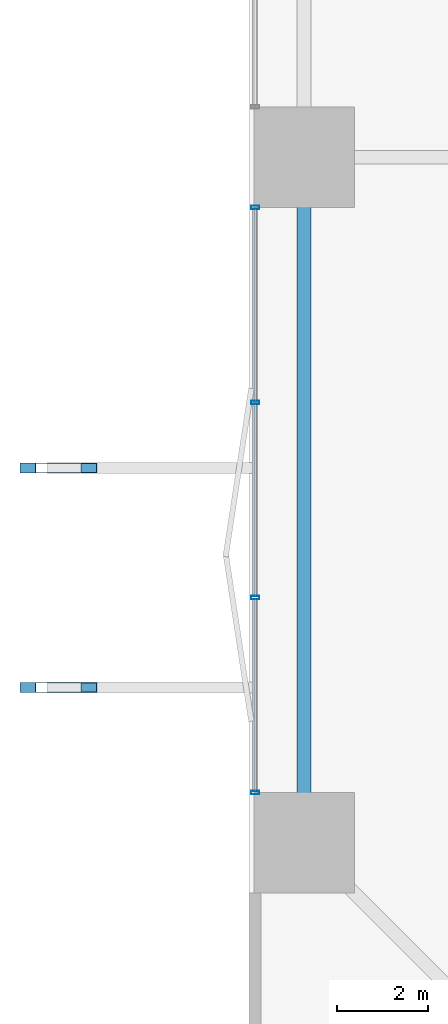
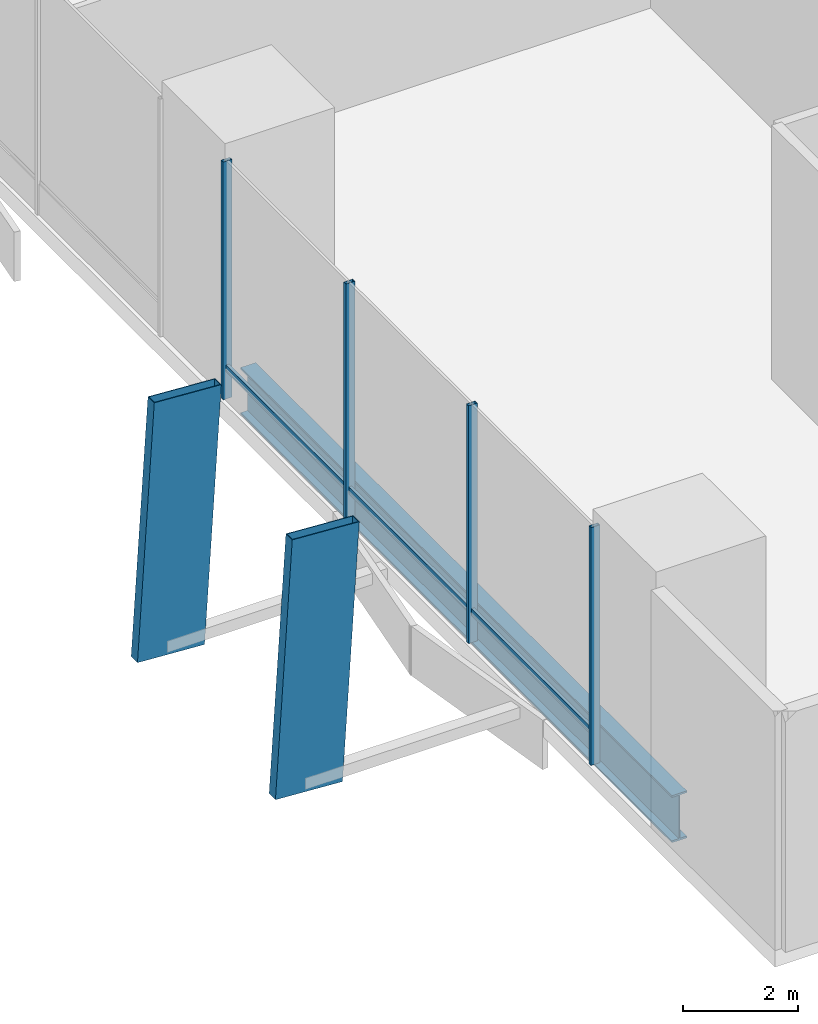
# One storey, part 4 of 24: 9 members, 1 beam, 1 element without a shape of its own.
"""IFC4 building model written with IfcOpenShell, lengths in metres."""

from ifc_helpers import new_model, si_unit, direction, frame, origin, origin_2d, place, context, subcontext, project, spatial, hollow_rectangle, i_section, extrude, material, layer, layer_set, material_profile, profile_set, type_object, element, aggregate, save


model = new_model("IFC4")

# Units and contexts
model_context = context("Model", 3, precision=1e-05, world=origin(), true_north=direction((0.0, 1.0)))
body_context = subcontext(model_context, "Body", "Model", "MODEL_VIEW")
ifc_project = project(units=[si_unit("LENGTHUNIT", "METRE"), si_unit("AREAUNIT", "SQUARE_METRE"), si_unit("VOLUMEUNIT", "CUBIC_METRE"), si_unit("PLANEANGLEUNIT", "RADIAN"), si_unit("MASSUNIT", "GRAM", prefix="KILO")], contexts=[model_context])

# Site, building, storey
site_placement = place(None, origin())
site = spatial("IfcSite", under=ifc_project, at=site_placement, CompositionType="ELEMENT")
building_placement = place(site_placement, origin())
building = spatial("IfcBuilding", under=site, at=building_placement, Name="Belovzor Exchange Tower", CompositionType="ELEMENT")
storey_placement = place(building_placement, frame((0.0, 0.0, 13.800048828125)))
storey = spatial("IfcBuildingStorey", under=building, at=storey_placement, Name="L03", CompositionType="ELEMENT", Elevation=13.800048828125)

# Members
ifc_material_1 = material(Name="Extruded Architectural Terracotta on Steel S355 Carrier", Category="masonry")
ifc_material_profile_1 = material_profile(ifc_material_1, hollow_rectangle(XDim=0.219970703125, YDim=1.35009765625, WallThickness=0.013916015625, at=origin_2d()))
ifc_profile_set_1 = profile_set([ifc_material_profile_1], Name="Extruded Architectural Terracotta on Steel S355 Carrier")
member_type_1 = type_object("IfcMemberType", Name="Base Arc Sweeping Terracotta Pylon Fin 1450", PredefinedType="USERDEFINED", material=ifc_profile_set_1)
for number, where, z_axis, x_axis, name in (
    (1, (-3.739990234375, 17.199951171875, -0.35009765625), (0.062448514419, 0.0, 0.998048186736), (0.0, 1.0, 0.0), "FIN-TC145 Terracotta Facade Fin L03 W1"),
    (2, (-3.739990234375, 22.0, -0.35009765625), (0.062448514419, 0.0, 0.998048186736), (0.0, 1.0, 0.0), "FIN-TC145 Terracotta Facade Fin L03 W2"),
):
    element("IfcMember", number, at=place(storey_placement, frame(where, z_axis=z_axis, x_axis=x_axis)), inside=storey, type_object=member_type_1, Name=name, ObjectType="FIN", PredefinedType="USERDEFINED", context=body_context, shape_type="SweptSolid", body=[
        extrude(hollow_rectangle(XDim=0.219970703125, YDim=1.35009765625, WallThickness=0.013916015625, at=origin_2d()), origin(), (0.0, 0.0, 1.0), 5.41064453125),
    ])

# Beam
ifc_material_2 = material(Name="Steel S460", Category="steel")
ifc_material_profile_2 = material_profile(ifc_material_2, i_section(OverallWidth=0.300048828125, OverallDepth=1.0, WebThickness=0.02099609375, FlangeThickness=0.0400390625, at=origin_2d()))
ifc_profile_set_2 = profile_set([ifc_material_profile_2], Name="Steel S460")
beam_type = type_object("IfcBeamType", Name="Podium Exchange Hall Ring Girder HEM 1000", PredefinedType="BEAM", material=ifc_profile_set_2)
beam_placement = place(storey_placement, frame((1.800048828125, 28.800048828125, -0.85009765625), z_axis=(0.0, -1.0, 0.0), x_axis=(1.0, 0.0, 0.0)))
element("IfcBeam", 3, at=beam_placement, inside=storey, type_object=beam_type, Name="PG-1 Podium Exchange Hall Ring Girder HEM 1000", PredefinedType="BEAM", context=body_context, shape_type="SweptSolid", body=[
    extrude(i_section(OverallWidth=0.300048828125, OverallDepth=1.0, WebThickness=0.02099609375, FlangeThickness=0.0400390625, at=origin_2d()), origin(), (0.0, 0.0, 1.0), 15.0),
])

# Curtain wall, members
ifc_material_3 = material(Name="Anodised Aluminium Framing", Category="aluminium")
ifc_layer = layer(ifc_material_3, 0.219970703125)
ifc_layer_set = layer_set([ifc_layer], Name="Anodised Aluminium Framing")
curtain_wall_type = type_object("IfcCurtainWallType", Name="Podium Clear-Span Exchange Hall Unitised Curtain Wall", PredefinedType="NOTDEFINED", material=ifc_layer_set)
curtain_wall_placement = place(storey_placement, origin())
curtain_wall = element("IfcCurtainWall", 4, at=curtain_wall_placement, inside=storey, type_object=curtain_wall_type, Name="CW1 Podium Clear-Span Exchange Hall Unitised Curtain Wall L03", PredefinedType="NOTDEFINED")
ifc_material_4 = material(Name="Steel S355", Category="steel")
ifc_material_profile_3 = material_profile(ifc_material_4, hollow_rectangle(XDim=0.074951171875, YDim=0.179931640625, WallThickness=0.0048828125, at=origin_2d()))
ifc_profile_set_3 = profile_set([ifc_material_profile_3], Name="Steel S355")
member_type_2 = type_object("IfcMemberType", Name="Thermally Broken Curtain Wall Mullion 180x75", PredefinedType="MULLION", material=ifc_profile_set_3)
member_1_placement = place(storey_placement, frame((0.72998046875, 14.89990234375, 0.0), z_axis=(0.0, 0.0, 1.0), x_axis=(0.0, 1.0, 0.0)))
member_1 = element("IfcMember", 5, at=member_1_placement, type_object=member_type_2, Name="CW-M180 Curtain Wall Mullion 1", PredefinedType="MULLION", context=body_context, shape_type="SweptSolid", body=[
    extrude(hollow_rectangle(XDim=0.074951171875, YDim=0.179931640625, WallThickness=0.0048828125, at=origin_2d()), origin(), (0.0, 0.0, 1.0), 5.050048828125),
])
member_2_placement = place(storey_placement, frame((0.72998046875, 19.1669921875, 0.0), z_axis=(0.0, 0.0, 1.0), x_axis=(0.0, 1.0, 0.0)))
member_2 = element("IfcMember", 6, at=member_2_placement, type_object=member_type_2, Name="CW-M180 Curtain Wall Mullion 2", PredefinedType="MULLION", context=body_context, shape_type="SweptSolid", body=[
    extrude(hollow_rectangle(XDim=0.074951171875, YDim=0.179931640625, WallThickness=0.0048828125, at=origin_2d()), origin(), (0.0, 0.0, 1.0), 5.050048828125),
])
member_3_placement = place(storey_placement, frame((0.72998046875, 23.43310546875, 0.0), z_axis=(0.0, 0.0, 1.0), x_axis=(0.0, 1.0, 0.0)))
member_3 = element("IfcMember", 7, at=member_3_placement, type_object=member_type_2, Name="CW-M180 Curtain Wall Mullion 3", PredefinedType="MULLION", context=body_context, shape_type="SweptSolid", body=[
    extrude(hollow_rectangle(XDim=0.074951171875, YDim=0.179931640625, WallThickness=0.0048828125, at=origin_2d()), origin(), (0.0, 0.0, 1.0), 5.050048828125),
])
member_4_placement = place(storey_placement, frame((0.72998046875, 27.699951171875, 0.0), z_axis=(0.0, 0.0, 1.0), x_axis=(0.0, 1.0, 0.0)))
member_4 = element("IfcMember", 8, at=member_4_placement, type_object=member_type_2, Name="CW-M180 Curtain Wall Mullion 4", PredefinedType="MULLION", context=body_context, shape_type="SweptSolid", body=[
    extrude(hollow_rectangle(XDim=0.074951171875, YDim=0.179931640625, WallThickness=0.0048828125, at=origin_2d()), origin(), (0.0, 0.0, 1.0), 5.050048828125),
])
ifc_material_5 = material(Name="Steel S355", Category="steel")
ifc_material_profile_4 = material_profile(ifc_material_5, hollow_rectangle(XDim=0.06005859375, YDim=0.14990234375, WallThickness=0.00390625, at=origin_2d()))
ifc_profile_set_4 = profile_set([ifc_material_profile_4], Name="Steel S355")
member_type_3 = type_object("IfcMemberType", Name="Thermally Broken Curtain Wall Transom 150x60", PredefinedType="USERDEFINED", material=ifc_profile_set_4)
member_5_placement = place(storey_placement, frame((0.72998046875, 14.907958984375, 0.64990234375), z_axis=(0.0, 1.0, 0.0), x_axis=(-1.0, 0.0, 0.0)))
member_5 = element("IfcMember", 9, at=member_5_placement, type_object=member_type_3, Name="CW-T150 Curtain Wall Transom 1", ObjectType="TRANSOM", PredefinedType="USERDEFINED", context=body_context, shape_type="SweptSolid", body=[
    extrude(hollow_rectangle(XDim=0.06005859375, YDim=0.14990234375, WallThickness=0.00390625, at=origin_2d()), origin(), (0.0, 0.0, 1.0), 4.2509765625),
])
member_6_placement = place(storey_placement, frame((0.72998046875, 19.175048828125, 0.64990234375), z_axis=(0.0, 1.0, 0.0), x_axis=(-1.0, 0.0, 0.0)))
member_6 = element("IfcMember", 10, at=member_6_placement, type_object=member_type_3, Name="CW-T150 Curtain Wall Transom 2", ObjectType="TRANSOM", PredefinedType="USERDEFINED", context=body_context, shape_type="SweptSolid", body=[
    extrude(hollow_rectangle(XDim=0.06005859375, YDim=0.14990234375, WallThickness=0.00390625, at=origin_2d()), origin(), (0.0, 0.0, 1.0), 4.25),
])
member_7_placement = place(storey_placement, frame((0.72998046875, 23.44091796875, 0.64990234375), z_axis=(0.0, 1.0, 0.0), x_axis=(-1.0, 0.0, 0.0)))
member_7 = element("IfcMember", 11, at=member_7_placement, type_object=member_type_3, Name="CW-T150 Curtain Wall Transom 3", ObjectType="TRANSOM", PredefinedType="USERDEFINED", context=body_context, shape_type="SweptSolid", body=[
    extrude(hollow_rectangle(XDim=0.06005859375, YDim=0.14990234375, WallThickness=0.00390625, at=origin_2d()), origin(), (0.0, 0.0, 1.0), 4.2509765625),
])
aggregate(curtain_wall, [member_1, member_2, member_3, member_4, member_5, member_6, member_7])

save(model, "model.ifc")
